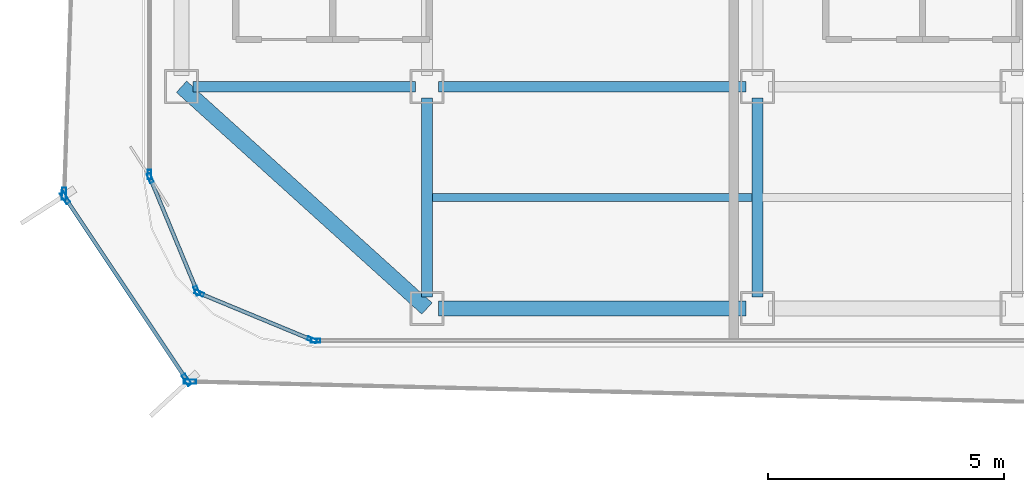
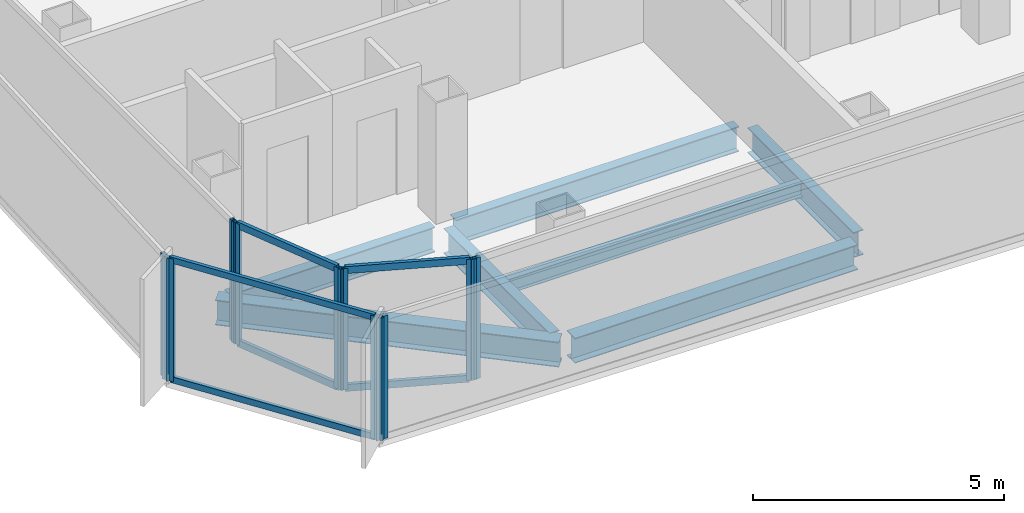
# One storey, part 2 of 15: 16 members, 7 beams, 7 elements without a shape of their own.
"""IFC4 building model written with IfcOpenShell, lengths in metres."""

from ifc_helpers import new_model, si_unit, direction, frame, origin, origin_2d, place, context, subcontext, project, spatial, hollow_rectangle, i_section, extrude, source, transform, mapped, material, layer, layer_set, material_profile, profile_set, type_object, element, aggregate, save


model = new_model("IFC4")

# Units and contexts
model_context = context("Model", 3, precision=1e-05, world=origin(), true_north=direction((0.0, 1.0)))
body_context = subcontext(model_context, "Body", "Model", "MODEL_VIEW")
ifc_project = project(units=[si_unit("LENGTHUNIT", "METRE"), si_unit("AREAUNIT", "SQUARE_METRE"), si_unit("VOLUMEUNIT", "CUBIC_METRE"), si_unit("PLANEANGLEUNIT", "RADIAN"), si_unit("MASSUNIT", "GRAM", prefix="KILO")], contexts=[model_context])

# Site, building, storey
site_placement = place(None, origin())
site = spatial("IfcSite", under=ifc_project, at=site_placement, CompositionType="ELEMENT")
building_placement = place(site_placement, origin())
building = spatial("IfcBuilding", under=site, at=building_placement, Name="Kolveth Station Tower", CompositionType="ELEMENT")
storey_placement = place(building_placement, frame((0.0, 0.0, 165.699951171875)))
storey = spatial("IfcBuildingStorey", under=building, at=storey_placement, Name="L46", CompositionType="ELEMENT", Elevation=165.699951171875)

# Beams
ifc_material_1 = material(Name="Steel S355", Category="steel")
ifc_material_profile_1 = material_profile(ifc_material_1, i_section(OverallWidth=0.323974609375, OverallDepth=0.611083984375, WebThickness=0.0126953125, FlangeThickness=0.01904296875, at=origin_2d()), Name="W610x155")
ifc_profile_set_1 = profile_set([ifc_material_profile_1], Name="Steel S355")
beam_type_1 = type_object("IfcBeamType", Name="Beam_SP2", PredefinedType="SPANDREL", material=ifc_profile_set_1)
shared_shape_1 = source(origin(), body_context, "Body", "SweptSolid", [
    extrude(i_section(OverallWidth=0.323974609375, OverallDepth=0.611083984375, WebThickness=0.0126953125, FlangeThickness=0.01904296875, at=origin_2d()), origin(), (0.0, 0.0, 1.0), 7.00927734375),
])
beam_1_placement = place(storey_placement, frame((0.800048828125, 5.5, -0.555419921875), z_axis=(0.741874009795, -0.670539300557, 0.0), x_axis=(0.670539300557, 0.741874009795, 0.0)))
element("IfcBeam", 1, at=beam_1_placement, inside=storey, type_object=beam_type_1, Name="L46 Corner Edge Girder BM-L46-CNR-SW", PredefinedType="SPANDREL", context=body_context, shape_type="MappedRepresentation", body=[
    mapped(shared_shape_1, transform((0.0, 0.0, 0.0), x_axis=(1.0, 0.0, 0.0), y_axis=(0.0, 1.0, 0.0), z_axis=(0.0, 0.0, 1.0), scale=1.0)),
])
shared_shape_2 = source(origin(), body_context, "Body", "SweptSolid", [
    extrude(i_section(OverallWidth=0.323974609375, OverallDepth=0.611083984375, WebThickness=0.0126953125, FlangeThickness=0.01904296875, at=origin_2d()), origin(), (0.0, 0.0, 1.0), 6.52001953125),
])
beam_2_placement = place(storey_placement, frame((6.239990234375, 0.800048828125, -0.555419921875), z_axis=(1.0, 0.0, 0.0), x_axis=(0.0, 1.0, 0.0)))
element("IfcBeam", 2, at=beam_2_placement, inside=storey, type_object=beam_type_1, Name="L46 Perimeter Spandrel BM-L46-PS-1", PredefinedType="SPANDREL", context=body_context, shape_type="MappedRepresentation", body=[
    mapped(shared_shape_2, transform((0.0, 0.0, 0.0), x_axis=(1.0, 0.0, 0.0), y_axis=(0.0, 1.0, 0.0), z_axis=(0.0, 0.0, 1.0), scale=1.0)),
])
ifc_material_profile_2 = material_profile(ifc_material_1, i_section(OverallWidth=0.22900390625, OverallDepth=0.612060546875, WebThickness=0.011962890625, FlangeThickness=0.01953125, at=origin_2d()), Name="W610x125")
ifc_profile_set_2 = profile_set([ifc_material_profile_2], Name="Steel S355")
beam_type_2 = type_object("IfcBeamType", Name="Beam_B5", PredefinedType="BEAM", material=ifc_profile_set_2)
shared_shape_3 = source(origin(), body_context, "Body", "SweptSolid", [
    extrude(i_section(OverallWidth=0.22900390625, OverallDepth=0.612060546875, WebThickness=0.011962890625, FlangeThickness=0.01953125, at=origin_2d()), origin(), (0.0, 0.0, 1.0), 4.719970703125),
])
beam_3_placement = place(storey_placement, frame((1.0400390625, 5.5, -0.555908203125), z_axis=(1.0, 0.0, 0.0), x_axis=(0.0, 1.0, 0.0)))
element("IfcBeam", 3, at=beam_3_placement, inside=storey, type_object=beam_type_2, Name="L46 Primary Girder BM-L46-GY55-1", PredefinedType="BEAM", context=body_context, shape_type="MappedRepresentation", body=[
    mapped(shared_shape_3, transform((0.0, 0.0, 0.0), x_axis=(1.0, 0.0, 0.0), y_axis=(0.0, 1.0, 0.0), z_axis=(0.0, 0.0, 1.0), scale=1.0)),
])
shared_shape_4 = source(origin(), body_context, "Body", "SweptSolid", [
    extrude(i_section(OverallWidth=0.22900390625, OverallDepth=0.612060546875, WebThickness=0.011962890625, FlangeThickness=0.01953125, at=origin_2d()), origin(), (0.0, 0.0, 1.0), 6.52001953125),
])
beam_4_placement = place(storey_placement, frame((6.239990234375, 5.5, -0.555908203125), z_axis=(1.0, 0.0, 0.0), x_axis=(0.0, 1.0, 0.0)))
element("IfcBeam", 4, at=beam_4_placement, inside=storey, type_object=beam_type_2, Name="L46 Primary Girder BM-L46-GY55-2", PredefinedType="BEAM", context=body_context, shape_type="MappedRepresentation", body=[
    mapped(shared_shape_4, transform((0.0, 0.0, 0.0), x_axis=(1.0, 0.0, 0.0), y_axis=(0.0, 1.0, 0.0), z_axis=(0.0, 0.0, 1.0), scale=1.0)),
])
shared_shape_5 = source(origin(), body_context, "Body", "SweptSolid", [
    extrude(i_section(OverallWidth=0.22900390625, OverallDepth=0.612060546875, WebThickness=0.011962890625, FlangeThickness=0.01953125, at=origin_2d()), origin(), (0.0, 0.0, 1.0), 4.219970703125),
])
for number, where, z_axis, x_axis, name in (
    (5, (6.0, 1.0400390625, -0.555908203125), (0.0, 1.0, 0.0), (-1.0, 0.0, 0.0), "L46 Primary Girder BM-L46-GX60-1"),
    (6, (13.0, 1.0400390625, -0.555908203125), (0.0, 1.0, 0.0), (-1.0, 0.0, 0.0), "L46 Primary Girder BM-L46-GX130-1"),
):
    element("IfcBeam", number, at=place(storey_placement, frame(where, z_axis=z_axis, x_axis=x_axis)), inside=storey, type_object=beam_type_2, Name=name, PredefinedType="BEAM", context=body_context, shape_type="MappedRepresentation", body=[
        mapped(shared_shape_5, transform((0.0, 0.0, 0.0), x_axis=(1.0, 0.0, 0.0), y_axis=(0.0, 1.0, 0.0), z_axis=(0.0, 0.0, 1.0), scale=1.0)),
    ])
ifc_material_profile_3 = material_profile(ifc_material_1, i_section(OverallWidth=0.1708984375, OverallDepth=0.35205078125, WebThickness=0.0068359375, FlangeThickness=0.009765625, at=origin_2d()), Name="W360x44")
ifc_profile_set_3 = profile_set([ifc_material_profile_3], Name="Steel S355")
beam_type_3 = type_object("IfcBeamType", Name="Beam_J2", PredefinedType="JOIST", material=ifc_profile_set_3)
shared_shape_6 = source(origin(), body_context, "Body", "SweptSolid", [
    extrude(i_section(OverallWidth=0.1708984375, OverallDepth=0.35205078125, WebThickness=0.0068359375, FlangeThickness=0.009765625, at=origin_2d()), origin(), (0.0, 0.0, 1.0), 6.77490234375),
])
beam_5_placement = place(storey_placement, frame((6.112548828125, 3.14990234375, -0.426025390625), z_axis=(1.0, 0.0, 0.0), x_axis=(0.0, 1.0, 0.0)))
element("IfcBeam", 7, at=beam_5_placement, inside=storey, type_object=beam_type_3, Name="L46 Secondary Joist JST-L46-2-1", PredefinedType="JOIST", context=body_context, shape_type="MappedRepresentation", body=[
    mapped(shared_shape_6, transform((0.0, 0.0, 0.0), x_axis=(1.0, 0.0, 0.0), y_axis=(0.0, 1.0, 0.0), z_axis=(0.0, 0.0, 1.0), scale=1.0)),
])

# Curtain wall, member
ifc_material_2 = material(Name="Aluminium 6063-T6 and low-E dark glass", Category="aluminium")
ifc_layer_1 = layer(ifc_material_2, 0.18994140625)
ifc_layer_set_1 = layer_set([ifc_layer_1], Name="Aluminium 6063-T6 and low-E dark glass")
curtain_wall_type_1 = type_object("IfcCurtainWallType", Name="CurtainWall_CW-Z2", PredefinedType="NOTDEFINED", material=ifc_layer_set_1)
curtain_wall_1_placement = place(storey_placement, origin())
curtain_wall_1 = element("IfcCurtainWall", 8, at=curtain_wall_1_placement, inside=storey, type_object=curtain_wall_type_1, Name="L46 Inner Thermal Curtain Wall 9", PredefinedType="NOTDEFINED")
ifc_material_3 = material(Name="Black anodized aluminium 6063-T6", Category="aluminium")
ifc_material_profile_4 = material_profile(ifc_material_3, hollow_rectangle(XDim=0.080078125, YDim=0.199951171875, WallThickness=0.0048828125, at=origin_2d()), Name="ALU-80x200x5")
ifc_profile_set_4 = profile_set([ifc_material_profile_4], Name="Black anodized aluminium 6063-T6")
member_type_1 = type_object("IfcMemberType", Name="Mullion_ML2", PredefinedType="MULLION", material=ifc_profile_set_4)
shared_shape_7 = source(origin(), body_context, "Body", "SweptSolid", [
    extrude(hollow_rectangle(XDim=0.080078125, YDim=0.199951171875, WallThickness=0.0048828125, at=origin_2d()), origin(), (0.0, 0.0, 1.0), 2.949951171875),
])
member_1_placement = place(storey_placement, frame((0.1201171875, 3.639892578125, 0.0), z_axis=(0.0, 0.0, 1.0), x_axis=(1.0, 0.0, 0.0)))
member_1 = element("IfcMember", 9, at=member_1_placement, type_object=member_type_1, Name="CW-Z2 mullion 2", PredefinedType="MULLION", context=body_context, shape_type="MappedRepresentation", body=[
    mapped(shared_shape_7, transform((0.0, 0.0, 0.0), x_axis=(1.0, 0.0, 0.0), y_axis=(0.0, 1.0, 0.0), z_axis=(0.0, 0.0, 1.0), scale=1.0)),
])
aggregate(curtain_wall_1, [member_1])

# Curtain wall, members
curtain_wall_2_placement = place(storey_placement, origin())
curtain_wall_2 = element("IfcCurtainWall", 10, at=curtain_wall_2_placement, inside=storey, type_object=curtain_wall_type_1, Name="L46 Inner Thermal Curtain Wall 10", PredefinedType="NOTDEFINED")
member_2_placement = place(storey_placement, frame((0.13525390625, 3.56298828125, 0.0), z_axis=(0.0, 0.0, 1.0), x_axis=(0.923873600544, 0.382697753087, 0.0)))
member_2 = element("IfcMember", 11, at=member_2_placement, type_object=member_type_1, Name="CW-Z2 mullion 1", PredefinedType="MULLION", context=body_context, shape_type="MappedRepresentation", body=[
    mapped(shared_shape_7, transform((0.0, 0.0, 0.0), x_axis=(1.0, 0.0, 0.0), y_axis=(0.0, 1.0, 0.0), z_axis=(0.0, 0.0, 1.0), scale=1.0)),
])
member_3_placement = place(storey_placement, frame((1.1240234375, 1.17626953125, 0.0), z_axis=(0.0, 0.0, 1.0), x_axis=(0.923873600544, 0.382697753087, 0.0)))
member_3 = element("IfcMember", 12, at=member_3_placement, type_object=member_type_1, Name="CW-Z2 mullion 2", PredefinedType="MULLION", context=body_context, shape_type="MappedRepresentation", body=[
    mapped(shared_shape_7, transform((0.0, 0.0, 0.0), x_axis=(1.0, 0.0, 0.0), y_axis=(0.0, 1.0, 0.0), z_axis=(0.0, 0.0, 1.0), scale=1.0)),
])

curtain_wall_3_placement = place(storey_placement, origin())
curtain_wall_3 = element("IfcCurtainWall", 13, at=curtain_wall_3_placement, inside=storey, type_object=curtain_wall_type_1, Name="L46 Inner Thermal Curtain Wall 11", PredefinedType="NOTDEFINED")
member_4_placement = place(storey_placement, frame((1.17626953125, 1.1240234375, 0.0), z_axis=(0.0, 0.0, 1.0), x_axis=(0.382697753087, 0.923873600544, 0.0)))
member_4 = element("IfcMember", 14, at=member_4_placement, type_object=member_type_1, Name="CW-Z2 mullion 1", PredefinedType="MULLION", context=body_context, shape_type="MappedRepresentation", body=[
    mapped(shared_shape_7, transform((0.0, 0.0, 0.0), x_axis=(1.0, 0.0, 0.0), y_axis=(0.0, 1.0, 0.0), z_axis=(0.0, 0.0, 1.0), scale=1.0)),
])
member_5_placement = place(storey_placement, frame((3.56298828125, 0.13525390625, 0.0), z_axis=(0.0, 0.0, 1.0), x_axis=(0.382697753087, 0.923873600544, 0.0)))
member_5 = element("IfcMember", 15, at=member_5_placement, type_object=member_type_1, Name="CW-Z2 mullion 2", PredefinedType="MULLION", context=body_context, shape_type="MappedRepresentation", body=[
    mapped(shared_shape_7, transform((0.0, 0.0, 0.0), x_axis=(1.0, 0.0, 0.0), y_axis=(0.0, 1.0, 0.0), z_axis=(0.0, 0.0, 1.0), scale=1.0)),
])

# Curtain wall, member
curtain_wall_4_placement = place(storey_placement, origin())
curtain_wall_4 = element("IfcCurtainWall", 16, at=curtain_wall_4_placement, inside=storey, type_object=curtain_wall_type_1, Name="L46 Inner Thermal Curtain Wall 12", PredefinedType="NOTDEFINED")
member_6_placement = place(storey_placement, frame((3.639892578125, 0.1201171875, 0.0), z_axis=(0.0, 0.0, 1.0), x_axis=(0.0, 1.0, 0.0)))
member_6 = element("IfcMember", 17, at=member_6_placement, type_object=member_type_1, Name="CW-Z2 mullion 1", PredefinedType="MULLION", context=body_context, shape_type="MappedRepresentation", body=[
    mapped(shared_shape_7, transform((0.0, 0.0, 0.0), x_axis=(1.0, 0.0, 0.0), y_axis=(0.0, 1.0, 0.0), z_axis=(0.0, 0.0, 1.0), scale=1.0)),
])
aggregate(curtain_wall_4, [member_6])

ifc_material_4 = material(Name="Black anodized aluminium 6063-T6 and dark solar glass", Category="aluminium")
ifc_layer_2 = layer(ifc_material_4, 0.159912109375)
ifc_layer_set_2 = layer_set([ifc_layer_2], Name="Black anodized aluminium 6063-T6 and dark solar glass")
curtain_wall_type_2 = type_object("IfcCurtainWallType", Name="OUTER SKIN CW-OS", PredefinedType="NOTDEFINED", material=ifc_layer_set_2)
curtain_wall_5_placement = place(storey_placement, origin())
curtain_wall_5 = element("IfcCurtainWall", 18, at=curtain_wall_5_placement, inside=storey, type_object=curtain_wall_type_2, Name="L46 Outer Ventilated Skin Curtain Wall 6", PredefinedType="NOTDEFINED")
ifc_material_profile_5 = material_profile(ifc_material_3, hollow_rectangle(XDim=0.090087890625, YDim=0.260009765625, WallThickness=0.0048828125, at=origin_2d()), Name="ALU-90x260x5")
ifc_profile_set_5 = profile_set([ifc_material_profile_5], Name="Black anodized aluminium 6063-T6")
member_type_2 = type_object("IfcMemberType", Name="FIN MULLION ML-OS", PredefinedType="MULLION", material=ifc_profile_set_5)
shared_shape_8 = source(origin(), body_context, "Body", "SweptSolid", [
    extrude(hollow_rectangle(XDim=0.090087890625, YDim=0.260009765625, WallThickness=0.0048828125, at=origin_2d()), origin(), (0.0, 0.0, 1.0), 2.989990234375),
])
member_7_placement = place(storey_placement, frame((-1.691162109375, 3.2294921875, 0.0), z_axis=(0.0, 0.0, 1.0), x_axis=(0.999414374524, -0.034218532929, 0.0)))
member_7 = element("IfcMember", 19, at=member_7_placement, type_object=member_type_2, Name="CW-OS mullion 2", PredefinedType="MULLION", context=body_context, shape_type="MappedRepresentation", body=[
    mapped(shared_shape_8, transform((0.0, 0.0, 0.0), x_axis=(1.0, 0.0, 0.0), y_axis=(0.0, 1.0, 0.0), z_axis=(0.0, 0.0, 1.0), scale=1.0)),
])
aggregate(curtain_wall_5, [member_7])

# Curtain wall, members
curtain_wall_6_placement = place(storey_placement, origin())
curtain_wall_6 = element("IfcCurtainWall", 20, at=curtain_wall_6_placement, inside=storey, type_object=curtain_wall_type_2, Name="L46 Outer Ventilated Skin Curtain Wall 7", PredefinedType="NOTDEFINED")
member_8_placement = place(storey_placement, frame((-1.667724609375, 3.14697265625, 0.0), z_axis=(0.0, 0.0, 1.0), x_axis=(0.831640269698, 0.55531474122, 0.0)))
member_8 = element("IfcMember", 21, at=member_8_placement, type_object=member_type_2, Name="CW-OS mullion 1", PredefinedType="MULLION", context=body_context, shape_type="MappedRepresentation", body=[
    mapped(shared_shape_8, transform((0.0, 0.0, 0.0), x_axis=(1.0, 0.0, 0.0), y_axis=(0.0, 1.0, 0.0), z_axis=(0.0, 0.0, 1.0), scale=1.0)),
])
member_9_placement = place(storey_placement, frame((0.9091796875, -0.7119140625, 0.0), z_axis=(0.0, 0.0, 1.0), x_axis=(0.831640269698, 0.55531474122, 0.0)))
member_9 = element("IfcMember", 22, at=member_9_placement, type_object=member_type_2, Name="CW-OS mullion 2", PredefinedType="MULLION", context=body_context, shape_type="MappedRepresentation", body=[
    mapped(shared_shape_8, transform((0.0, 0.0, 0.0), x_axis=(1.0, 0.0, 0.0), y_axis=(0.0, 1.0, 0.0), z_axis=(0.0, 0.0, 1.0), scale=1.0)),
])

# Curtain wall, member
curtain_wall_7_placement = place(storey_placement, origin())
curtain_wall_7 = element("IfcCurtainWall", 23, at=curtain_wall_7_placement, inside=storey, type_object=curtain_wall_type_2, Name="L46 Outer Ventilated Skin Curtain Wall 8", PredefinedType="NOTDEFINED")
member_10_placement = place(storey_placement, frame((0.97900390625, -0.75048828125, 0.0), z_axis=(0.0, 0.0, 1.0), x_axis=(0.024151932097, 0.999708299543, 0.0)))
member_10 = element("IfcMember", 24, at=member_10_placement, type_object=member_type_2, Name="CW-OS mullion 1", PredefinedType="MULLION", context=body_context, shape_type="MappedRepresentation", body=[
    mapped(shared_shape_8, transform((0.0, 0.0, 0.0), x_axis=(1.0, 0.0, 0.0), y_axis=(0.0, 1.0, 0.0), z_axis=(0.0, 0.0, 1.0), scale=1.0)),
])
aggregate(curtain_wall_7, [member_10])

# Member
ifc_material_profile_6 = material_profile(ifc_material_3, hollow_rectangle(XDim=0.080078125, YDim=0.169921875, WallThickness=0.0048828125, at=origin_2d()), Name="ALU-80x170x5")
ifc_profile_set_6 = profile_set([ifc_material_profile_6], Name="Black anodized aluminium 6063-T6")
member_type_3 = type_object("IfcMemberType", Name="Transom_TR2", PredefinedType="USERDEFINED", material=ifc_profile_set_6)
shared_shape_9 = source(origin(), body_context, "Body", "SweptSolid", [
    extrude(hollow_rectangle(XDim=0.080078125, YDim=0.169921875, WallThickness=0.0048828125, at=origin_2d()), origin(), (0.0, 0.0, 1.0), 2.50341796875),
])
member_11_placement = place(storey_placement, frame((0.150634765625, 3.526123046875, 0.0400390625), z_axis=(0.382661849723, -0.923888472039, 0.0), x_axis=(0.923888472039, 0.382661849723, 0.0)))
member_11 = element("IfcMember", 25, at=member_11_placement, type_object=member_type_3, Name="CW-Z2 transom 1.1", ObjectType="TRANSOM", PredefinedType="USERDEFINED", context=body_context, shape_type="MappedRepresentation", body=[
    mapped(shared_shape_9, transform((0.0, 0.0, 0.0), x_axis=(1.0, 0.0, 0.0), y_axis=(0.0, 1.0, 0.0), z_axis=(0.0, 0.0, 1.0), scale=1.0)),
])

member_12_placement = place(storey_placement, frame((0.150634765625, 3.526123046875, 2.91015625), z_axis=(0.382661849723, -0.923888472039, 0.0), x_axis=(0.923888472039, 0.382661849723, 0.0)))
member_12 = element("IfcMember", 26, at=member_12_placement, type_object=member_type_3, Name="CW-Z2 transom 1.2", ObjectType="TRANSOM", PredefinedType="USERDEFINED", context=body_context, shape_type="MappedRepresentation", body=[
    mapped(shared_shape_9, transform((0.0, 0.0, 0.0), x_axis=(1.0, 0.0, 0.0), y_axis=(0.0, 1.0, 0.0), z_axis=(0.0, 0.0, 1.0), scale=1.0)),
])

aggregate(curtain_wall_2, [member_2, member_3, member_11, member_12])

member_13_placement = place(storey_placement, frame((1.213134765625, 1.108642578125, 0.0400390625), z_axis=(0.923888472039, -0.382661849723, 0.0), x_axis=(0.382661849723, 0.923888472039, 0.0)))
member_13 = element("IfcMember", 27, at=member_13_placement, type_object=member_type_3, Name="CW-Z2 transom 1.1", ObjectType="TRANSOM", PredefinedType="USERDEFINED", context=body_context, shape_type="MappedRepresentation", body=[
    mapped(shared_shape_9, transform((0.0, 0.0, 0.0), x_axis=(1.0, 0.0, 0.0), y_axis=(0.0, 1.0, 0.0), z_axis=(0.0, 0.0, 1.0), scale=1.0)),
])

member_14_placement = place(storey_placement, frame((1.213134765625, 1.108642578125, 2.91015625), z_axis=(0.923888472039, -0.382661849723, 0.0), x_axis=(0.382661849723, 0.923888472039, 0.0)))
member_14 = element("IfcMember", 28, at=member_14_placement, type_object=member_type_3, Name="CW-Z2 transom 1.2", ObjectType="TRANSOM", PredefinedType="USERDEFINED", context=body_context, shape_type="MappedRepresentation", body=[
    mapped(shared_shape_9, transform((0.0, 0.0, 0.0), x_axis=(1.0, 0.0, 0.0), y_axis=(0.0, 1.0, 0.0), z_axis=(0.0, 0.0, 1.0), scale=1.0)),
])

aggregate(curtain_wall_3, [member_4, member_5, member_13, member_14])

ifc_material_profile_7 = material_profile(ifc_material_3, hollow_rectangle(XDim=0.080078125, YDim=0.14990234375, WallThickness=0.0048828125, at=origin_2d()), Name="ALU-80x150x5")
ifc_profile_set_7 = profile_set([ifc_material_profile_7], Name="Black anodized aluminium 6063-T6")
member_type_4 = type_object("IfcMemberType", Name="Transom_TR-OS", PredefinedType="USERDEFINED", material=ifc_profile_set_7)
shared_shape_10 = source(origin(), body_context, "Body", "SweptSolid", [
    extrude(hollow_rectangle(XDim=0.080078125, YDim=0.14990234375, WallThickness=0.0048828125, at=origin_2d()), origin(), (0.0, 0.0, 1.0), 4.55029296875),
])
member_15_placement = place(storey_placement, frame((-1.642822265625, 3.109619140625, 0.0400390625), z_axis=(0.555319127551, -0.831637340778, 0.0), x_axis=(0.831637340778, 0.555319127551, 0.0)))
member_15 = element("IfcMember", 29, at=member_15_placement, type_object=member_type_4, Name="CW-OS transom 1.1", ObjectType="TRANSOM", PredefinedType="USERDEFINED", context=body_context, shape_type="MappedRepresentation", body=[
    mapped(shared_shape_10, transform((0.0, 0.0, 0.0), x_axis=(1.0, 0.0, 0.0), y_axis=(0.0, 1.0, 0.0), z_axis=(0.0, 0.0, 1.0), scale=1.0)),
])

member_16_placement = place(storey_placement, frame((-1.642822265625, 3.109619140625, 2.949951171875), z_axis=(0.555319127551, -0.831637340778, 0.0), x_axis=(0.831637340778, 0.555319127551, 0.0)))
member_16 = element("IfcMember", 30, at=member_16_placement, type_object=member_type_4, Name="CW-OS transom 1.2", ObjectType="TRANSOM", PredefinedType="USERDEFINED", context=body_context, shape_type="MappedRepresentation", body=[
    mapped(shared_shape_10, transform((0.0, 0.0, 0.0), x_axis=(1.0, 0.0, 0.0), y_axis=(0.0, 1.0, 0.0), z_axis=(0.0, 0.0, 1.0), scale=1.0)),
])

aggregate(curtain_wall_6, [member_8, member_9, member_15, member_16])

save(model, "model.ifc")
